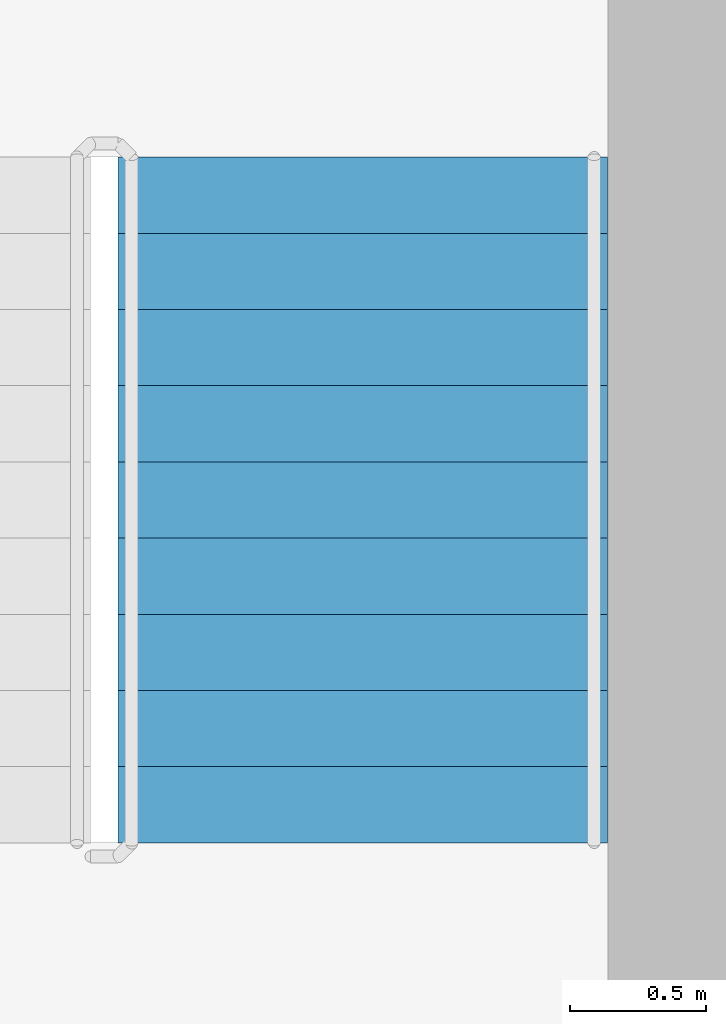
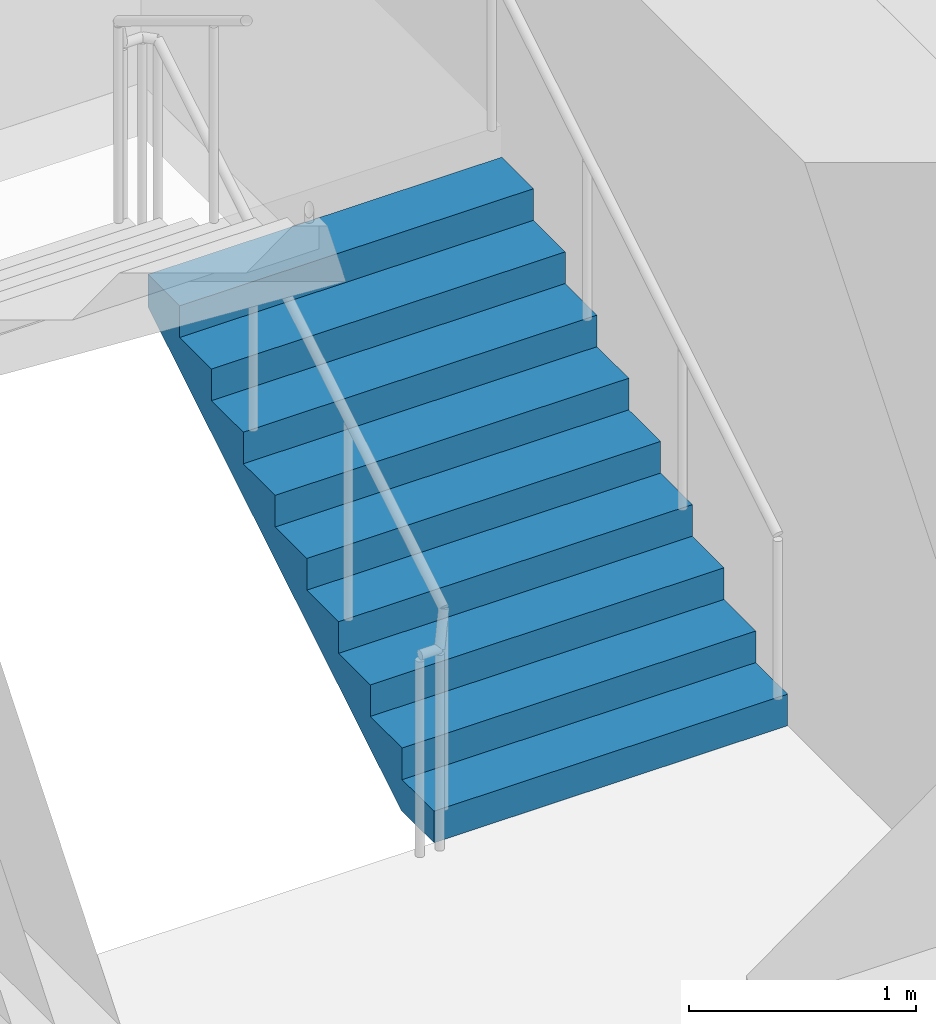
# One storey, part 12 of 22: 1 stair flight, 1 element without a shape of its own.
"""IFC4 building model written with IfcOpenShell, lengths in metres."""

from ifc_helpers import new_model, si_unit, direction, frame, origin, place, context, subcontext, project, spatial, triangles, source, transform, mapped, material, type_object, element, aggregate, save


model = new_model("IFC4")

# Units and contexts
model_context = context("Model", 3, precision=1e-05, world=origin(), true_north=direction((0.0, 1.0)))
body_context = subcontext(model_context, "Body", "Model", "MODEL_VIEW")
ifc_project = project(units=[si_unit("LENGTHUNIT", "METRE"), si_unit("AREAUNIT", "SQUARE_METRE"), si_unit("VOLUMEUNIT", "CUBIC_METRE"), si_unit("PLANEANGLEUNIT", "RADIAN"), si_unit("MASSUNIT", "GRAM", prefix="KILO")], contexts=[model_context])

# Site, building, storey
site_placement = place(None, origin())
site = spatial("IfcSite", under=ifc_project, at=site_placement, CompositionType="ELEMENT")
building_placement = place(site_placement, origin())
building = spatial("IfcBuilding", under=site, at=building_placement, Name="Kilnfold Tower and Market Hall", CompositionType="ELEMENT")
storey_placement = place(building_placement, frame((0.0, 0.0, 154.10009765625)))
storey = spatial("IfcBuildingStorey", under=building, at=storey_placement, Name="L35", CompositionType="ELEMENT", Elevation=154.10009765625)

# Stair, stair flight
ifc_material_1 = material(Name="Concrete C40/50", Category="concrete")
stair_type = type_object("IfcStairType", Name="CORE STAIR 1800", PredefinedType="HALF_TURN_STAIR", material=ifc_material_1)
stair_placement = place(storey_placement, origin())
stair = element("IfcStair", 1, at=stair_placement, inside=storey, type_object=stair_type, Name="L35 ST2", PredefinedType="HALF_TURN_STAIR")
ifc_material_2 = material(Name="Concrete C40/50", Category="concrete")
stair_flight_type = type_object("IfcStairFlightType", Name="CORE STAIR FLIGHT 1800", PredefinedType="STRAIGHT", material=ifc_material_2)
shared_shape = source(origin(), body_context, "Body", "Tessellation", [
    triangles([(0.0, 0.89990234375, 0.0), (0.0, 0.78759765625, 0.0), (0.0, 0.675048828125, 0.0), (0.0, 0.5625, 0.0), (0.0, 0.449951171875, 0.0), (0.0, 0.33740234375, 0.0), (0.0, 0.22509765625, 0.0), (0.0, 0.112548828125, 0.0), (0.0, 0.0, 0.0), (0.0, -0.112548828125, 0.0), (0.0, -0.22509765625, 0.0), (0.0, -0.33740234375, 0.0), (0.0, -0.449951171875, 0.0), (0.0, -0.5625, 0.0), (0.0, -0.675048828125, 0.0), (0.0, -0.78759765625, 0.0), (0.0, -0.89990234375, 0.0), (0.0, 0.89990234375, 0.169921875), (0.0, 0.78759765625, 0.169921875), (0.0, 0.675048828125, 0.169921875), (0.0, 0.5625, 0.169921875), (0.0, 0.449951171875, 0.169921875), (0.0, 0.33740234375, 0.169921875), (0.0, 0.22509765625, 0.169921875), (0.0, 0.112548828125, 0.169921875), (0.0, 0.0, 0.169921875), (0.0, -0.112548828125, 0.169921875), (0.0, -0.22509765625, 0.169921875), (0.0, -0.33740234375, 0.169921875), (0.0, -0.449951171875, 0.169921875), (0.0, -0.5625, 0.169921875), (0.0, -0.675048828125, 0.169921875), (0.0, -0.78759765625, 0.169921875), (0.0, -0.89990234375, 0.169921875), (0.280029296875, 0.89990234375, 0.169921875), (0.280029296875, 0.78759765625, 0.169921875), (0.280029296875, 0.675048828125, 0.169921875), (0.280029296875, 0.5625, 0.169921875), (0.280029296875, 0.449951171875, 0.169921875), (0.280029296875, 0.33740234375, 0.169921875), (0.280029296875, 0.22509765625, 0.169921875), (0.280029296875, 0.112548828125, 0.169921875), (0.280029296875, 0.0, 0.169921875), (0.280029296875, -0.112548828125, 0.169921875), (0.280029296875, -0.22509765625, 0.169921875), (0.280029296875, -0.33740234375, 0.169921875), (0.280029296875, -0.449951171875, 0.169921875), (0.280029296875, -0.5625, 0.169921875), (0.280029296875, -0.675048828125, 0.169921875), (0.280029296875, -0.78759765625, 0.169921875), (0.280029296875, -0.89990234375, 0.169921875), (0.280029296875, 0.89990234375, 0.340087890625), (0.280029296875, 0.78759765625, 0.340087890625), (0.280029296875, 0.675048828125, 0.340087890625), (0.280029296875, 0.5625, 0.340087890625), (0.280029296875, 0.449951171875, 0.340087890625), (0.280029296875, 0.33740234375, 0.340087890625), (0.280029296875, 0.22509765625, 0.340087890625), (0.280029296875, 0.112548828125, 0.340087890625), (0.280029296875, 0.0, 0.340087890625), (0.280029296875, -0.112548828125, 0.340087890625), (0.280029296875, -0.22509765625, 0.340087890625), (0.280029296875, -0.33740234375, 0.340087890625), (0.280029296875, -0.449951171875, 0.340087890625), (0.280029296875, -0.5625, 0.340087890625), (0.280029296875, -0.675048828125, 0.340087890625), (0.280029296875, -0.78759765625, 0.340087890625), (0.280029296875, -0.89990234375, 0.340087890625), (0.56005859375, 0.89990234375, 0.340087890625), (0.56005859375, 0.78759765625, 0.340087890625), (0.56005859375, 0.675048828125, 0.340087890625), (0.56005859375, 0.5625, 0.340087890625), (0.56005859375, 0.449951171875, 0.340087890625), (0.56005859375, 0.33740234375, 0.340087890625), (0.56005859375, 0.22509765625, 0.340087890625), (0.56005859375, 0.112548828125, 0.340087890625), (0.56005859375, 0.0, 0.340087890625), (0.56005859375, -0.112548828125, 0.340087890625), (0.56005859375, -0.22509765625, 0.340087890625), (0.56005859375, -0.33740234375, 0.340087890625), (0.56005859375, -0.449951171875, 0.340087890625), (0.56005859375, -0.5625, 0.340087890625), (0.56005859375, -0.675048828125, 0.340087890625), (0.56005859375, -0.78759765625, 0.340087890625), (0.56005859375, -0.89990234375, 0.340087890625), (0.56005859375, 0.89990234375, 0.510009765625), (0.56005859375, 0.78759765625, 0.510009765625), (0.56005859375, 0.675048828125, 0.510009765625), (0.56005859375, 0.5625, 0.510009765625), (0.56005859375, 0.449951171875, 0.510009765625), (0.56005859375, 0.33740234375, 0.510009765625), (0.56005859375, 0.22509765625, 0.510009765625), (0.56005859375, 0.112548828125, 0.510009765625), (0.56005859375, 0.0, 0.510009765625), (0.56005859375, -0.112548828125, 0.510009765625), (0.56005859375, -0.22509765625, 0.510009765625), (0.56005859375, -0.33740234375, 0.510009765625), (0.56005859375, -0.449951171875, 0.510009765625), (0.56005859375, -0.5625, 0.510009765625), (0.56005859375, -0.675048828125, 0.510009765625), (0.56005859375, -0.78759765625, 0.510009765625), (0.56005859375, -0.89990234375, 0.510009765625), (0.840087890625, 0.89990234375, 0.510009765625), (0.840087890625, 0.78759765625, 0.510009765625), (0.840087890625, 0.675048828125, 0.510009765625), (0.840087890625, 0.5625, 0.510009765625), (0.840087890625, 0.449951171875, 0.510009765625), (0.840087890625, 0.33740234375, 0.510009765625), (0.840087890625, 0.22509765625, 0.510009765625), (0.840087890625, 0.112548828125, 0.510009765625), (0.840087890625, 0.0, 0.510009765625), (0.840087890625, -0.112548828125, 0.510009765625), (0.840087890625, -0.22509765625, 0.510009765625), (0.840087890625, -0.33740234375, 0.510009765625), (0.840087890625, -0.449951171875, 0.510009765625), (0.840087890625, -0.5625, 0.510009765625), (0.840087890625, -0.675048828125, 0.510009765625), (0.840087890625, -0.78759765625, 0.510009765625), (0.840087890625, -0.89990234375, 0.510009765625), (0.840087890625, 0.89990234375, 0.679931640625), (0.840087890625, 0.78759765625, 0.679931640625), (0.840087890625, 0.675048828125, 0.679931640625), (0.840087890625, 0.5625, 0.679931640625), (0.840087890625, 0.449951171875, 0.679931640625), (0.840087890625, 0.33740234375, 0.679931640625), (0.840087890625, 0.22509765625, 0.679931640625), (0.840087890625, 0.112548828125, 0.679931640625), (0.840087890625, 0.0, 0.679931640625), (0.840087890625, -0.112548828125, 0.679931640625), (0.840087890625, -0.22509765625, 0.679931640625), (0.840087890625, -0.33740234375, 0.679931640625), (0.840087890625, -0.449951171875, 0.679931640625), (0.840087890625, -0.5625, 0.679931640625), (0.840087890625, -0.675048828125, 0.679931640625), (0.840087890625, -0.78759765625, 0.679931640625), (0.840087890625, -0.89990234375, 0.679931640625), (1.1201171875, 0.89990234375, 0.679931640625), (1.1201171875, 0.78759765625, 0.679931640625), (1.1201171875, 0.675048828125, 0.679931640625), (1.1201171875, 0.5625, 0.679931640625), (1.1201171875, 0.449951171875, 0.679931640625), (1.1201171875, 0.33740234375, 0.679931640625), (1.1201171875, 0.22509765625, 0.679931640625), (1.1201171875, 0.112548828125, 0.679931640625), (1.1201171875, 0.0, 0.679931640625), (1.1201171875, -0.112548828125, 0.679931640625), (1.1201171875, -0.22509765625, 0.679931640625), (1.1201171875, -0.33740234375, 0.679931640625), (1.1201171875, -0.449951171875, 0.679931640625), (1.1201171875, -0.5625, 0.679931640625), (1.1201171875, -0.675048828125, 0.679931640625), (1.1201171875, -0.78759765625, 0.679931640625), (1.1201171875, -0.89990234375, 0.679931640625), (1.1201171875, 0.89990234375, 0.85009765625), (1.1201171875, 0.78759765625, 0.85009765625), (1.1201171875, 0.675048828125, 0.85009765625), (1.1201171875, 0.5625, 0.85009765625), (1.1201171875, 0.449951171875, 0.85009765625), (1.1201171875, 0.33740234375, 0.85009765625), (1.1201171875, 0.22509765625, 0.85009765625), (1.1201171875, 0.112548828125, 0.85009765625), (1.1201171875, 0.0, 0.85009765625), (1.1201171875, -0.112548828125, 0.85009765625), (1.1201171875, -0.22509765625, 0.85009765625), (1.1201171875, -0.33740234375, 0.85009765625), (1.1201171875, -0.449951171875, 0.85009765625), (1.1201171875, -0.5625, 0.85009765625), (1.1201171875, -0.675048828125, 0.85009765625), (1.1201171875, -0.78759765625, 0.85009765625), (1.1201171875, -0.89990234375, 0.85009765625), (1.39990234375, 0.89990234375, 0.85009765625), (1.39990234375, 0.78759765625, 0.85009765625), (1.39990234375, 0.675048828125, 0.85009765625), (1.39990234375, 0.5625, 0.85009765625), (1.39990234375, 0.449951171875, 0.85009765625), (1.39990234375, 0.33740234375, 0.85009765625), (1.39990234375, 0.22509765625, 0.85009765625), (1.39990234375, 0.112548828125, 0.85009765625), (1.39990234375, 0.0, 0.85009765625), (1.39990234375, -0.112548828125, 0.85009765625), (1.39990234375, -0.22509765625, 0.85009765625), (1.39990234375, -0.33740234375, 0.85009765625), (1.39990234375, -0.449951171875, 0.85009765625), (1.39990234375, -0.5625, 0.85009765625), (1.39990234375, -0.675048828125, 0.85009765625), (1.39990234375, -0.78759765625, 0.85009765625), (1.39990234375, -0.89990234375, 0.85009765625), (1.39990234375, 0.89990234375, 1.02001953125), (1.39990234375, 0.78759765625, 1.02001953125), (1.39990234375, 0.675048828125, 1.02001953125), (1.39990234375, 0.5625, 1.02001953125), (1.39990234375, 0.449951171875, 1.02001953125), (1.39990234375, 0.33740234375, 1.02001953125), (1.39990234375, 0.22509765625, 1.02001953125), (1.39990234375, 0.112548828125, 1.02001953125), (1.39990234375, 0.0, 1.02001953125), (1.39990234375, -0.112548828125, 1.02001953125), (1.39990234375, -0.22509765625, 1.02001953125), (1.39990234375, -0.33740234375, 1.02001953125), (1.39990234375, -0.449951171875, 1.02001953125), (1.39990234375, -0.5625, 1.02001953125), (1.39990234375, -0.675048828125, 1.02001953125), (1.39990234375, -0.78759765625, 1.02001953125), (1.39990234375, -0.89990234375, 1.02001953125), (1.679931640625, 0.89990234375, 1.02001953125), (1.679931640625, 0.78759765625, 1.02001953125), (1.679931640625, 0.675048828125, 1.02001953125), (1.679931640625, 0.5625, 1.02001953125), (1.679931640625, 0.449951171875, 1.02001953125), (1.679931640625, 0.33740234375, 1.02001953125), (1.679931640625, 0.22509765625, 1.02001953125), (1.679931640625, 0.112548828125, 1.02001953125), (1.679931640625, 0.0, 1.02001953125), (1.679931640625, -0.112548828125, 1.02001953125), (1.679931640625, -0.22509765625, 1.02001953125), (1.679931640625, -0.33740234375, 1.02001953125), (1.679931640625, -0.449951171875, 1.02001953125), (1.679931640625, -0.5625, 1.02001953125), (1.679931640625, -0.675048828125, 1.02001953125), (1.679931640625, -0.78759765625, 1.02001953125), (1.679931640625, -0.89990234375, 1.02001953125), (1.679931640625, 0.89990234375, 1.18994140625), (1.679931640625, 0.78759765625, 1.18994140625), (1.679931640625, 0.675048828125, 1.18994140625), (1.679931640625, 0.5625, 1.18994140625), (1.679931640625, 0.449951171875, 1.18994140625), (1.679931640625, 0.33740234375, 1.18994140625), (1.679931640625, 0.22509765625, 1.18994140625), (1.679931640625, 0.112548828125, 1.18994140625), (1.679931640625, 0.0, 1.18994140625), (1.679931640625, -0.112548828125, 1.18994140625), (1.679931640625, -0.22509765625, 1.18994140625), (1.679931640625, -0.33740234375, 1.18994140625), (1.679931640625, -0.449951171875, 1.18994140625), (1.679931640625, -0.5625, 1.18994140625), (1.679931640625, -0.675048828125, 1.18994140625), (1.679931640625, -0.78759765625, 1.18994140625), (1.679931640625, -0.89990234375, 1.18994140625), (1.9599609375, 0.89990234375, 1.18994140625), (1.9599609375, 0.78759765625, 1.18994140625), (1.9599609375, 0.675048828125, 1.18994140625), (1.9599609375, 0.5625, 1.18994140625), (1.9599609375, 0.449951171875, 1.18994140625), (1.9599609375, 0.33740234375, 1.18994140625), (1.9599609375, 0.22509765625, 1.18994140625), (1.9599609375, 0.112548828125, 1.18994140625), (1.9599609375, 0.0, 1.18994140625), (1.9599609375, -0.112548828125, 1.18994140625), (1.9599609375, -0.22509765625, 1.18994140625), (1.9599609375, -0.33740234375, 1.18994140625), (1.9599609375, -0.449951171875, 1.18994140625), (1.9599609375, -0.5625, 1.18994140625), (1.9599609375, -0.675048828125, 1.18994140625), (1.9599609375, -0.78759765625, 1.18994140625), (1.9599609375, -0.89990234375, 1.18994140625), (1.9599609375, 0.89990234375, 1.360107421875), (1.9599609375, 0.78759765625, 1.360107421875), (1.9599609375, 0.675048828125, 1.360107421875), (1.9599609375, 0.5625, 1.360107421875), (1.9599609375, 0.449951171875, 1.360107421875), (1.9599609375, 0.33740234375, 1.360107421875), (1.9599609375, 0.22509765625, 1.360107421875), (1.9599609375, 0.112548828125, 1.360107421875), (1.9599609375, 0.0, 1.360107421875), (1.9599609375, -0.112548828125, 1.360107421875), (1.9599609375, -0.22509765625, 1.360107421875), (1.9599609375, -0.33740234375, 1.360107421875), (1.9599609375, -0.449951171875, 1.360107421875), (1.9599609375, -0.5625, 1.360107421875), (1.9599609375, -0.675048828125, 1.360107421875), (1.9599609375, -0.78759765625, 1.360107421875), (1.9599609375, -0.89990234375, 1.360107421875), (2.239990234375, 0.89990234375, 1.360107421875), (2.239990234375, 0.78759765625, 1.360107421875), (2.239990234375, 0.675048828125, 1.360107421875), (2.239990234375, 0.5625, 1.360107421875), (2.239990234375, 0.449951171875, 1.360107421875), (2.239990234375, 0.33740234375, 1.360107421875), (2.239990234375, 0.22509765625, 1.360107421875), (2.239990234375, 0.112548828125, 1.360107421875), (2.239990234375, 0.0, 1.360107421875), (2.239990234375, -0.112548828125, 1.360107421875), (2.239990234375, -0.22509765625, 1.360107421875), (2.239990234375, -0.33740234375, 1.360107421875), (2.239990234375, -0.449951171875, 1.360107421875), (2.239990234375, -0.5625, 1.360107421875), (2.239990234375, -0.675048828125, 1.360107421875), (2.239990234375, -0.78759765625, 1.360107421875), (2.239990234375, -0.89990234375, 1.360107421875), (2.239990234375, 0.89990234375, 1.530029296875), (2.239990234375, 0.78759765625, 1.530029296875), (2.239990234375, 0.675048828125, 1.530029296875), (2.239990234375, 0.5625, 1.530029296875), (2.239990234375, 0.449951171875, 1.530029296875), (2.239990234375, 0.33740234375, 1.530029296875), (2.239990234375, 0.22509765625, 1.530029296875), (2.239990234375, 0.112548828125, 1.530029296875), (2.239990234375, 0.0, 1.530029296875), (2.239990234375, -0.112548828125, 1.530029296875), (2.239990234375, -0.22509765625, 1.530029296875), (2.239990234375, -0.33740234375, 1.530029296875), (2.239990234375, -0.449951171875, 1.530029296875), (2.239990234375, -0.5625, 1.530029296875), (2.239990234375, -0.675048828125, 1.530029296875), (2.239990234375, -0.78759765625, 1.530029296875), (2.239990234375, -0.89990234375, 1.530029296875), (2.52001953125, 0.89990234375, 1.530029296875), (2.52001953125, 0.78759765625, 1.530029296875), (2.52001953125, 0.675048828125, 1.530029296875), (2.52001953125, 0.5625, 1.530029296875), (2.52001953125, 0.449951171875, 1.530029296875), (2.52001953125, 0.33740234375, 1.530029296875), (2.52001953125, 0.22509765625, 1.530029296875), (2.52001953125, 0.112548828125, 1.530029296875), (2.52001953125, 0.0, 1.530029296875), (2.52001953125, -0.112548828125, 1.530029296875), (2.52001953125, -0.22509765625, 1.530029296875), (2.52001953125, -0.33740234375, 1.530029296875), (2.52001953125, -0.449951171875, 1.530029296875), (2.52001953125, -0.5625, 1.530029296875), (2.52001953125, -0.675048828125, 1.530029296875), (2.52001953125, -0.78759765625, 1.530029296875), (2.52001953125, -0.89990234375, 1.530029296875), (2.52001953125, 0.89990234375, 1.354736328125), (2.52001953125, 0.78759765625, 1.354736328125), (2.52001953125, 0.675048828125, 1.354736328125), (2.52001953125, 0.5625, 1.354736328125), (2.52001953125, 0.449951171875, 1.354736328125), (2.52001953125, 0.33740234375, 1.354736328125), (2.52001953125, 0.22509765625, 1.354736328125), (2.52001953125, 0.112548828125, 1.354736328125), (2.52001953125, 0.0, 1.354736328125), (2.52001953125, -0.112548828125, 1.354736328125), (2.52001953125, -0.22509765625, 1.354736328125), (2.52001953125, -0.33740234375, 1.354736328125), (2.52001953125, -0.449951171875, 1.354736328125), (2.52001953125, -0.5625, 1.354736328125), (2.52001953125, -0.675048828125, 1.354736328125), (2.52001953125, -0.78759765625, 1.354736328125), (2.52001953125, -0.89990234375, 1.354736328125), (0.288818359375, 0.89990234375, 0.0), (0.288818359375, 0.78759765625, 0.0), (0.288818359375, 0.675048828125, 0.0), (0.288818359375, 0.5625, 0.0), (0.288818359375, 0.449951171875, 0.0), (0.288818359375, 0.33740234375, 0.0), (0.288818359375, 0.22509765625, 0.0), (0.288818359375, 0.112548828125, 0.0), (0.288818359375, 0.0, 0.0), (0.288818359375, -0.112548828125, 0.0), (0.288818359375, -0.22509765625, 0.0), (0.288818359375, -0.33740234375, 0.0), (0.288818359375, -0.449951171875, 0.0), (0.288818359375, -0.5625, 0.0), (0.288818359375, -0.675048828125, 0.0), (0.288818359375, -0.78759765625, 0.0), (0.288818359375, -0.89990234375, 0.0)], [[1, 324, 341], [17, 357, 340], [324, 290, 307], [340, 323, 306], [324, 273, 290], [340, 306, 289], [324, 256, 273], [340, 289, 272], [324, 239, 256], [340, 272, 255], [239, 205, 222], [255, 238, 221], [324, 205, 239], [340, 255, 221], [205, 171, 188], [221, 204, 187], [324, 171, 205], [340, 221, 187], [171, 137, 154], [187, 170, 153], [324, 137, 171], [340, 187, 153], [137, 103, 120], [153, 136, 119], [324, 103, 137], [340, 153, 119], [103, 69, 86], [119, 102, 85], [324, 69, 103], [340, 119, 85], [69, 35, 52], [85, 68, 51], [324, 35, 69], [340, 85, 51], [1, 35, 324], [17, 340, 51], [35, 1, 18], [51, 34, 17], [1, 19, 18], [1, 2, 19], [2, 20, 19], [2, 3, 20], [3, 21, 20], [3, 4, 21], [4, 22, 21], [4, 5, 22], [5, 23, 22], [5, 6, 23], [6, 24, 23], [6, 7, 24], [7, 25, 24], [7, 8, 25], [8, 26, 25], [8, 9, 26], [9, 27, 26], [9, 10, 27], [10, 28, 27], [10, 11, 28], [11, 29, 28], [11, 12, 29], [12, 30, 29], [12, 13, 30], [13, 31, 30], [13, 14, 31], [14, 32, 31], [14, 15, 32], [15, 33, 32], [15, 16, 33], [16, 34, 33], [16, 17, 34], [18, 36, 35], [18, 19, 36], [19, 37, 36], [19, 20, 37], [20, 38, 37], [20, 21, 38], [21, 39, 38], [21, 22, 39], [22, 40, 39], [22, 23, 40], [23, 41, 40], [23, 24, 41], [24, 42, 41], [24, 25, 42], [25, 43, 42], [25, 26, 43], [26, 44, 43], [26, 27, 44], [27, 45, 44], [27, 28, 45], [28, 46, 45], [28, 29, 46], [29, 47, 46], [29, 30, 47], [30, 48, 47], [30, 31, 48], [31, 49, 48], [31, 32, 49], [32, 50, 49], [32, 33, 50], [33, 51, 50], [33, 34, 51], [35, 53, 52], [35, 36, 53], [36, 54, 53], [36, 37, 54], [37, 55, 54], [37, 38, 55], [38, 56, 55], [38, 39, 56], [39, 57, 56], [39, 40, 57], [40, 58, 57], [40, 41, 58], [41, 59, 58], [41, 42, 59], [42, 60, 59], [42, 43, 60], [43, 61, 60], [43, 44, 61], [44, 62, 61], [44, 45, 62], [45, 63, 62], [45, 46, 63], [46, 64, 63], [46, 47, 64], [47, 65, 64], [47, 48, 65], [48, 66, 65], [48, 49, 66], [49, 67, 66], [49, 50, 67], [50, 68, 67], [50, 51, 68], [52, 70, 69], [52, 53, 70], [53, 71, 70], [53, 54, 71], [54, 72, 71], [54, 55, 72], [55, 73, 72], [55, 56, 73], [56, 74, 73], [56, 57, 74], [57, 75, 74], [57, 58, 75], [58, 76, 75], [58, 59, 76], [59, 77, 76], [59, 60, 77], [60, 78, 77], [60, 61, 78], [61, 79, 78], [61, 62, 79], [62, 80, 79], [62, 63, 80], [63, 81, 80], [63, 64, 81], [64, 82, 81], [64, 65, 82], [65, 83, 82], [65, 66, 83], [66, 84, 83], [66, 67, 84], [67, 85, 84], [67, 68, 85], [69, 87, 86], [69, 70, 87], [70, 88, 87], [70, 71, 88], [71, 89, 88], [71, 72, 89], [72, 90, 89], [72, 73, 90], [73, 91, 90], [73, 74, 91], [74, 92, 91], [74, 75, 92], [75, 93, 92], [75, 76, 93], [76, 94, 93], [76, 77, 94], [77, 95, 94], [77, 78, 95], [78, 96, 95], [78, 79, 96], [79, 97, 96], [79, 80, 97], [80, 98, 97], [80, 81, 98], [81, 99, 98], [81, 82, 99], [82, 100, 99], [82, 83, 100], [83, 101, 100], [83, 84, 101], [84, 102, 101], [84, 85, 102], [86, 104, 103], [86, 87, 104], [87, 105, 104], [87, 88, 105], [88, 106, 105], [88, 89, 106], [89, 107, 106], [89, 90, 107], [90, 108, 107], [90, 91, 108], [91, 109, 108], [91, 92, 109], [92, 110, 109], [92, 93, 110], [93, 111, 110], [93, 94, 111], [94, 112, 111], [94, 95, 112], [95, 113, 112], [95, 96, 113], [96, 114, 113], [96, 97, 114], [97, 115, 114], [97, 98, 115], [98, 116, 115], [98, 99, 116], [99, 117, 116], [99, 100, 117], [100, 118, 117], [100, 101, 118], [101, 119, 118], [101, 102, 119], [103, 121, 120], [103, 104, 121], [104, 122, 121], [104, 105, 122], [105, 123, 122], [105, 106, 123], [106, 124, 123], [106, 107, 124], [107, 125, 124], [107, 108, 125], [108, 126, 125], [108, 109, 126], [109, 127, 126], [109, 110, 127], [110, 128, 127], [110, 111, 128], [111, 129, 128], [111, 112, 129], [112, 130, 129], [112, 113, 130], [113, 131, 130], [113, 114, 131], [114, 132, 131], [114, 115, 132], [115, 133, 132], [115, 116, 133], [116, 134, 133], [116, 117, 134], [117, 135, 134], [117, 118, 135], [118, 136, 135], [118, 119, 136], [120, 138, 137], [120, 121, 138], [121, 139, 138], [121, 122, 139], [122, 140, 139], [122, 123, 140], [123, 141, 140], [123, 124, 141], [124, 142, 141], [124, 125, 142], [125, 143, 142], [125, 126, 143], [126, 144, 143], [126, 127, 144], [127, 145, 144], [127, 128, 145], [128, 146, 145], [128, 129, 146], [129, 147, 146], [129, 130, 147], [130, 148, 147], [130, 131, 148], [131, 149, 148], [131, 132, 149], [132, 150, 149], [132, 133, 150], [133, 151, 150], [133, 134, 151], [134, 152, 151], [134, 135, 152], [135, 153, 152], [135, 136, 153], [137, 155, 154], [137, 138, 155], [138, 156, 155], [138, 139, 156], [139, 157, 156], [139, 140, 157], [140, 158, 157], [140, 141, 158], [141, 159, 158], [141, 142, 159], [142, 160, 159], [142, 143, 160], [143, 161, 160], [143, 144, 161], [144, 162, 161], [144, 145, 162], [145, 163, 162], [145, 146, 163], [146, 164, 163], [146, 147, 164], [147, 165, 164], [147, 148, 165], [148, 166, 165], [148, 149, 166], [149, 167, 166], [149, 150, 167], [150, 168, 167], [150, 151, 168], [151, 169, 168], [151, 152, 169], [152, 170, 169], [152, 153, 170], [154, 172, 171], [154, 155, 172], [155, 173, 172], [155, 156, 173], [156, 174, 173], [156, 157, 174], [157, 175, 174], [157, 158, 175], [158, 176, 175], [158, 159, 176], [159, 177, 176], [159, 160, 177], [160, 178, 177], [160, 161, 178], [161, 179, 178], [161, 162, 179], [162, 180, 179], [162, 163, 180], [163, 181, 180], [163, 164, 181], [164, 182, 181], [164, 165, 182], [165, 183, 182], [165, 166, 183], [166, 184, 183], [166, 167, 184], [167, 185, 184], [167, 168, 185], [168, 186, 185], [168, 169, 186], [169, 187, 186], [169, 170, 187], [171, 189, 188], [171, 172, 189], [172, 190, 189], [172, 173, 190], [173, 191, 190], [173, 174, 191], [174, 192, 191], [174, 175, 192], [175, 193, 192], [175, 176, 193], [176, 194, 193], [176, 177, 194], [177, 195, 194], [177, 178, 195], [178, 196, 195], [178, 179, 196], [179, 197, 196], [179, 180, 197], [180, 198, 197], [180, 181, 198], [181, 199, 198], [181, 182, 199], [182, 200, 199], [182, 183, 200], [183, 201, 200], [183, 184, 201], [184, 202, 201], [184, 185, 202], [185, 203, 202], [185, 186, 203], [186, 204, 203], [186, 187, 204], [188, 206, 205], [188, 189, 206], [189, 207, 206], [189, 190, 207], [190, 208, 207], [190, 191, 208], [191, 209, 208], [191, 192, 209], [192, 210, 209], [192, 193, 210], [193, 211, 210], [193, 194, 211], [194, 212, 211], [194, 195, 212], [195, 213, 212], [195, 196, 213], [196, 214, 213], [196, 197, 214], [197, 215, 214], [197, 198, 215], [198, 216, 215], [198, 199, 216], [199, 217, 216], [199, 200, 217], [200, 218, 217], [200, 201, 218], [201, 219, 218], [201, 202, 219], [202, 220, 219], [202, 203, 220], [203, 221, 220], [203, 204, 221], [205, 223, 222], [205, 206, 223], [206, 224, 223], [206, 207, 224], [207, 225, 224], [207, 208, 225], [208, 226, 225], [208, 209, 226], [209, 227, 226], [209, 210, 227], [210, 228, 227], [210, 211, 228], [211, 229, 228], [211, 212, 229], [212, 230, 229], [212, 213, 230], [213, 231, 230], [213, 214, 231], [214, 232, 231], [214, 215, 232], [215, 233, 232], [215, 216, 233], [216, 234, 233], [216, 217, 234], [217, 235, 234], [217, 218, 235], [218, 236, 235], [218, 219, 236], [219, 237, 236], [219, 220, 237], [220, 238, 237], [220, 221, 238], [222, 240, 239], [222, 223, 240], [223, 241, 240], [223, 224, 241], [224, 242, 241], [224, 225, 242], [225, 243, 242], [225, 226, 243], [226, 244, 243], [226, 227, 244], [227, 245, 244], [227, 228, 245], [228, 246, 245], [228, 229, 246], [229, 247, 246], [229, 230, 247], [230, 248, 247], [230, 231, 248], [231, 249, 248], [231, 232, 249], [232, 250, 249], [232, 233, 250], [233, 251, 250], [233, 234, 251], [234, 252, 251], [234, 235, 252], [235, 253, 252], [235, 236, 253], [236, 254, 253], [236, 237, 254], [237, 255, 254], [237, 238, 255], [239, 257, 256], [239, 240, 257], [240, 258, 257], [240, 241, 258], [241, 259, 258], [241, 242, 259], [242, 260, 259], [242, 243, 260], [243, 261, 260], [243, 244, 261], [244, 262, 261], [244, 245, 262], [245, 263, 262], [245, 246, 263], [246, 264, 263], [246, 247, 264], [247, 265, 264], [247, 248, 265], [248, 266, 265], [248, 249, 266], [249, 267, 266], [249, 250, 267], [250, 268, 267], [250, 251, 268], [251, 269, 268], [251, 252, 269], [252, 270, 269], [252, 253, 270], [253, 271, 270], [253, 254, 271], [254, 272, 271], [254, 255, 272], [256, 274, 273], [256, 257, 274], [257, 275, 274], [257, 258, 275], [258, 276, 275], [258, 259, 276], [259, 277, 276], [259, 260, 277], [260, 278, 277], [260, 261, 278], [261, 279, 278], [261, 262, 279], [262, 280, 279], [262, 263, 280], [263, 281, 280], [263, 264, 281], [264, 282, 281], [264, 265, 282], [265, 283, 282], [265, 266, 283], [266, 284, 283], [266, 267, 284], [267, 285, 284], [267, 268, 285], [268, 286, 285], [268, 269, 286], [269, 287, 286], [269, 270, 287], [270, 288, 287], [270, 271, 288], [271, 289, 288], [271, 272, 289], [273, 291, 290], [273, 274, 291], [274, 292, 291], [274, 275, 292], [275, 293, 292], [275, 276, 293], [276, 294, 293], [276, 277, 294], [277, 295, 294], [277, 278, 295], [278, 296, 295], [278, 279, 296], [279, 297, 296], [279, 280, 297], [280, 298, 297], [280, 281, 298], [281, 299, 298], [281, 282, 299], [282, 300, 299], [282, 283, 300], [283, 301, 300], [283, 284, 301], [284, 302, 301], [284, 285, 302], [285, 303, 302], [285, 286, 303], [286, 304, 303], [286, 287, 304], [287, 305, 304], [287, 288, 305], [288, 306, 305], [288, 289, 306], [290, 308, 307], [290, 291, 308], [291, 309, 308], [291, 292, 309], [292, 310, 309], [292, 293, 310], [293, 311, 310], [293, 294, 311], [294, 312, 311], [294, 295, 312], [295, 313, 312], [295, 296, 313], [296, 314, 313], [296, 297, 314], [297, 315, 314], [297, 298, 315], [298, 316, 315], [298, 299, 316], [299, 317, 316], [299, 300, 317], [300, 318, 317], [300, 301, 318], [301, 319, 318], [301, 302, 319], [302, 320, 319], [302, 303, 320], [303, 321, 320], [303, 304, 321], [304, 322, 321], [304, 305, 322], [305, 323, 322], [305, 306, 323], [307, 325, 324], [307, 308, 325], [308, 326, 325], [308, 309, 326], [309, 327, 326], [309, 310, 327], [310, 328, 327], [310, 311, 328], [311, 329, 328], [311, 312, 329], [312, 330, 329], [312, 313, 330], [313, 331, 330], [313, 314, 331], [314, 332, 331], [314, 315, 332], [315, 333, 332], [315, 316, 333], [316, 334, 333], [316, 317, 334], [317, 335, 334], [317, 318, 335], [318, 336, 335], [318, 319, 336], [319, 337, 336], [319, 320, 337], [320, 338, 337], [320, 321, 338], [321, 339, 338], [321, 322, 339], [322, 340, 339], [322, 323, 340], [324, 342, 341], [324, 325, 342], [325, 343, 342], [325, 326, 343], [326, 344, 343], [326, 327, 344], [327, 345, 344], [327, 328, 345], [328, 346, 345], [328, 329, 346], [329, 347, 346], [329, 330, 347], [330, 348, 347], [330, 331, 348], [331, 349, 348], [331, 332, 349], [332, 350, 349], [332, 333, 350], [333, 351, 350], [333, 334, 351], [334, 352, 351], [334, 335, 352], [335, 353, 352], [335, 336, 353], [336, 354, 353], [336, 337, 354], [337, 355, 354], [337, 338, 355], [338, 356, 355], [338, 339, 356], [339, 357, 356], [339, 340, 357], [341, 2, 1], [341, 342, 2], [342, 3, 2], [342, 343, 3], [343, 4, 3], [343, 344, 4], [344, 5, 4], [344, 345, 5], [345, 6, 5], [345, 346, 6], [346, 7, 6], [346, 347, 7], [347, 8, 7], [347, 348, 8], [348, 9, 8], [348, 349, 9], [349, 10, 9], [349, 350, 10], [350, 11, 10], [350, 351, 11], [351, 12, 11], [351, 352, 12], [352, 13, 12], [352, 353, 13], [353, 14, 13], [353, 354, 14], [354, 15, 14], [354, 355, 15], [355, 16, 15], [355, 356, 16], [356, 17, 16], [356, 357, 17]], closed=True),
])
stair_flight_placement = place(storey_placement, frame((16.199951171875, 10.800048828125, 0.0), z_axis=(0.0, 0.0, 1.0), x_axis=(0.0, 1.0, 0.0)))
stair_flight = element("IfcStairFlight", 2, at=stair_flight_placement, type_object=stair_flight_type, Name="ST2 flight 1", NumberOfRisers=10, NumberOfTreads=9, PredefinedType="STRAIGHT", RiserHeight=0.17, TreadLength=0.28, context=body_context, shape_type="MappedRepresentation", body=[
    mapped(shared_shape, transform((0.0, 0.0, 0.0))),
])
aggregate(stair, [stair_flight])

save(model, "model.ifc")
